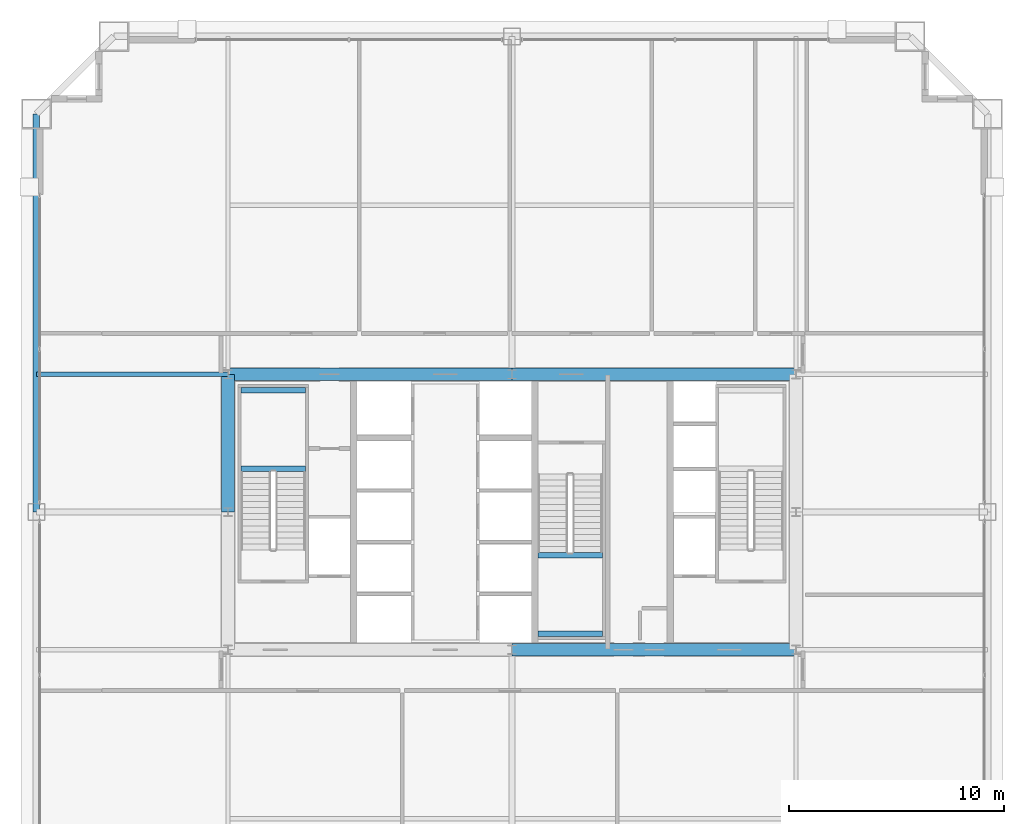
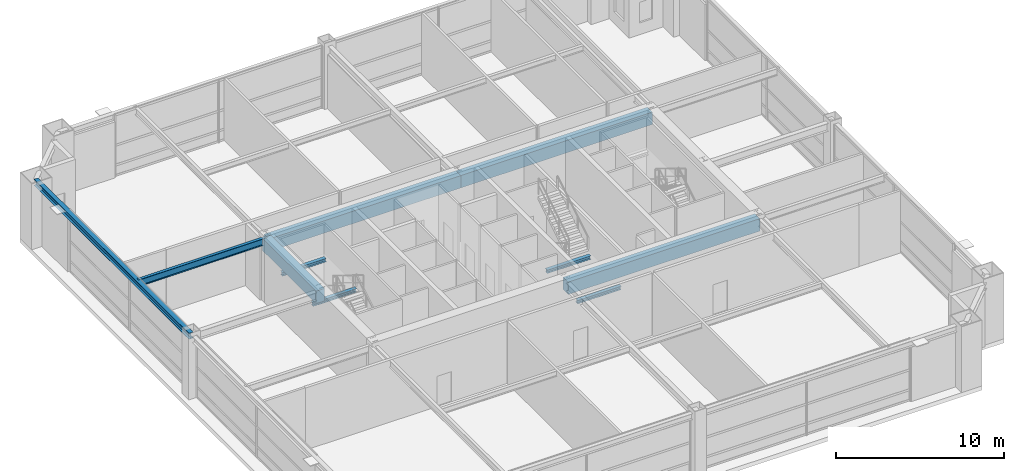
# One storey, part 15 of 34: 10 beams.
"""IFC4 building model written with IfcOpenShell, lengths in metres."""

import ifcopenshell
import ifcopenshell.guid

model = None  # the IFC model being written
_history = None  # IfcOwnerHistory: only IFC2X3 demands one
_inside = {}  # id of a spatial element -> (the spatial element, [elements in it])
_under = {}  # id of a project, library or spatial element -> (it, [spatial elements below it])
_declared = {}  # id of a project -> (the project, [libraries it declares])
_typed = {}  # id of a type object -> (the type object, [elements of that type])
_made_of = {}  # id of a material, layer set ... -> (it, [elements and type objects made of it])


def new_model(schema):
    """Start an empty IFC model of exactly this schema.

    Asked for "IFC4X3", IfcOpenShell would pick the latest addendum, in which some entities
    have other attributes; the version numbers below select the first issue.
    IFC2X3 requires an IfcOwnerHistory on every rooted entity: one is made here for all.
    """
    global model, _history
    if schema == "IFC4X3":
        model = ifcopenshell.file(schema_version=(4, 3, 0, 0))
    else:
        model = ifcopenshell.file(schema=schema)
    _inside.clear()
    _under.clear()
    _declared.clear()
    _typed.clear()
    _made_of.clear()
    _history = None
    if model.schema == "IFC2X3":
        org = make("IfcOrganization", Name="unknown")
        user = make(
            "IfcPersonAndOrganization",
            ThePerson=make("IfcPerson", FamilyName="unknown"),
            TheOrganization=org,
        )
        app = make(
            "IfcApplication",
            ApplicationDeveloper=org,
            Version="unknown",
            ApplicationFullName="unknown",
            ApplicationIdentifier="unknown",
        )
        _history = make(
            "IfcOwnerHistory",
            OwningUser=user,
            OwningApplication=app,
            ChangeAction="ADDED",
            CreationDate=0,
        )
    return model


def make(cls, **values):
    """One entity of the class cls with the attributes given. An attribute that is None is left unset."""
    return model.create_entity(
        cls, **{name: value for name, value in values.items() if value is not None}
    )


def rooted(cls, **values):
    """An entity with a GlobalId (a new one), such as an element, a storey or a relation."""
    return make(cls, GlobalId=ifcopenshell.guid.new(), OwnerHistory=_history, **values)


def si_unit(unit_type, name, prefix=None):
    """IfcSIUnit, for example si_unit("LENGTHUNIT", "METRE", prefix="MILLI")."""
    return make("IfcSIUnit", UnitType=unit_type, Prefix=prefix, Name=name)


def assignment(units):
    """IfcUnitAssignment: the units of a project."""
    return None if units is None else make("IfcUnitAssignment", Units=units)


def point(xyz):
    """IfcCartesianPoint."""
    return None if xyz is None else make("IfcCartesianPoint", Coordinates=xyz)


def direction(xyz):
    """IfcDirection."""
    return None if xyz is None else make("IfcDirection", DirectionRatios=xyz)


def frame(location, z_axis=None, x_axis=None):
    """IfcAxis2Placement3D, a coordinate frame: its origin and axes. An axis left out is left unset."""
    return make(
        "IfcAxis2Placement3D",
        Location=point(location),
        Axis=direction(z_axis),
        RefDirection=direction(x_axis),
    )


def frame_2d(location, x_axis=None):
    """IfcAxis2Placement2D, a coordinate frame in the plane: its origin and x axis."""
    return make(
        "IfcAxis2Placement2D", Location=point(location), RefDirection=direction(x_axis)
    )


def origin():
    """The frame at (0, 0, 0) with its axes left unset."""
    return frame((0.0, 0.0, 0.0))


def origin_2d():
    """The frame at (0, 0) in the plane with its x axis left unset."""
    return frame_2d((0.0, 0.0))


def place(relative_to, where):
    """IfcLocalPlacement: puts the frame where relative to a parent placement (None: the world)."""
    return make(
        "IfcLocalPlacement", PlacementRelTo=relative_to, RelativePlacement=where
    )


def context(
    kind, dimensions, precision=None, world=None, true_north=None, identifier=None
):
    """IfcGeometricRepresentationContext, for example the 3D "Model" context."""
    return make(
        "IfcGeometricRepresentationContext",
        ContextIdentifier=identifier,
        ContextType=kind,
        CoordinateSpaceDimension=dimensions,
        Precision=precision,
        WorldCoordinateSystem=world,
        TrueNorth=true_north,
    )


def subcontext(parent, identifier, kind, view, scale=None):
    """IfcGeometricRepresentationSubContext, for example "Body" below "Model"."""
    return make(
        "IfcGeometricRepresentationSubContext",
        ContextIdentifier=identifier,
        ContextType=kind,
        ParentContext=parent,
        TargetScale=scale,
        TargetView=view,
    )


def project(units=None, contexts=None):
    """IfcProject with its units and contexts."""
    return rooted(
        "IfcProject",
        Name="project",
        RepresentationContexts=contexts,
        UnitsInContext=assignment(units),
    )


def spatial(cls, under=None, at=None, **own):
    """A site, building, storey or space (cls), placed at a placement, below another one or the project."""
    s = rooted(cls, ObjectPlacement=at, **own)
    if under is not None:
        _under.setdefault(under.id(), (under, []))[1].append(s)
    return s


def profile(cls, at=None, kind="AREA", **sizes):
    """A parametric profile (cls). Its sizes go by their IFC names, for example OverallWidth=200.0."""
    return make(cls, ProfileType=kind, Position=at, **sizes)


def rectangle(**sizes):
    """IfcRectangleProfileDef."""
    return profile("IfcRectangleProfileDef", **sizes)


def i_section(**sizes):
    """IfcIShapeProfileDef."""
    return profile("IfcIShapeProfileDef", **sizes)


def extrude(swept, where, along, depth):
    """IfcExtrudedAreaSolid: the profile swept, set in the frame where, extruded along a direction by depth."""
    return make(
        "IfcExtrudedAreaSolid",
        SweptArea=swept,
        Position=where,
        ExtrudedDirection=direction(along),
        Depth=depth,
    )


def shape(context_of_items, identifier, shape_type, items):
    """IfcShapeRepresentation: the items that make up one representation, for example the "Body"."""
    return make(
        "IfcShapeRepresentation",
        ContextOfItems=context_of_items,
        RepresentationIdentifier=identifier,
        RepresentationType=shape_type,
        Items=items,
    )


def source(mapping_origin, context_of_items, identifier, shape_type, items):
    """IfcRepresentationMap: a shape defined once, which mapped items show again and again."""
    return make(
        "IfcRepresentationMap",
        MappingOrigin=mapping_origin,
        MappedRepresentation=shape(context_of_items, identifier, shape_type, items),
    )


def transform(
    local_origin,
    x_axis=None,
    y_axis=None,
    z_axis=None,
    scale=None,
    scale2=None,
    scale3=None,
    uniform=True,
):
    """IfcCartesianTransformationOperator3D, or its non-uniform kind. x_axis, y_axis, z_axis: its Axis1, 2, 3."""
    if uniform:
        return make(
            "IfcCartesianTransformationOperator3D",
            Axis1=direction(x_axis),
            Axis2=direction(y_axis),
            LocalOrigin=point(local_origin),
            Scale=scale,
            Axis3=direction(z_axis),
        )
    return make(
        "IfcCartesianTransformationOperator3DnonUniform",
        Axis1=direction(x_axis),
        Axis2=direction(y_axis),
        LocalOrigin=point(local_origin),
        Scale=scale,
        Axis3=direction(z_axis),
        Scale2=scale2,
        Scale3=scale3,
    )


def mapped(mapping_source, mapping_target):
    """IfcMappedItem: shows the shape of a source again, moved by a transform."""
    return make(
        "IfcMappedItem", MappingSource=mapping_source, MappingTarget=mapping_target
    )


def material(Name=None, Category=None):
    """IfcMaterial."""
    return make("IfcMaterial", Name=Name, Category=Category)


def material_profile(
    of_material, cross_section, Name=None, Category=None, Priority=None
):
    """IfcMaterialProfile: a cross section and its material."""
    return make(
        "IfcMaterialProfile",
        Name=Name,
        Material=of_material,
        Profile=cross_section,
        Priority=Priority,
        Category=Category,
    )


def profile_set(profiles, Name=None, composite=None):
    """IfcMaterialProfileSet."""
    return make(
        "IfcMaterialProfileSet",
        Name=Name,
        MaterialProfiles=profiles,
        CompositeProfile=composite,
    )


def made_of(thing, what):
    """Note that an element or type object is made of a material, layer set ...; save() writes the relation."""
    if what is not None:
        _made_of.setdefault(what.id(), (what, []))[1].append(thing)
    return thing


def type_object(cls, material=None, **own):
    """A type object (cls), such as IfcWallType, which elements share."""
    return made_of(rooted(cls, **own), material)


def element(
    cls,
    number,
    at=None,
    inside=None,
    cuts=None,
    type_object=None,
    material=None,
    context=None,
    identifier="Body",
    shape_type=None,
    held_by="IfcProductDefinitionShape",
    body=None,
    shapes=None,
    **own,
):
    """One element of the class cls, such as IfcWall. Its Tag is "e" and its number.

    at: its placement. inside: the storey or other place that contains it. cuts: it is an
    opening in that element (IfcRelVoidsElement). A single representation is given by context,
    identifier, shape_type and body (its items); several are given by shapes. held_by: the class
    of the entity that holds the representations. save() writes the other relations.
    """
    e = rooted(cls, Tag="e%d" % number, ObjectPlacement=at, **own)
    if body is not None:
        shapes = [shape(context, identifier, shape_type, body)]
    if shapes is not None:
        e.Representation = make(held_by, Representations=shapes)
    if inside is not None:
        _inside.setdefault(inside.id(), (inside, []))[1].append(e)
    if cuts is not None:
        rooted(
            "IfcRelVoidsElement", RelatingBuildingElement=cuts, RelatedOpeningElement=e
        )
    if type_object is not None:
        _typed.setdefault(type_object.id(), (type_object, []))[1].append(e)
    return made_of(e, material)


def aggregate(whole, parts):
    """IfcRelAggregates: a whole, such as a stair, and the parts it consists of."""
    return rooted("IfcRelAggregates", RelatingObject=whole, RelatedObjects=parts)


def save(model, path):
    """Write the relations noted so far, then the file.

    IfcRelAggregates (storeys below a building ...), IfcRelContainedInSpatialStructure (elements
    in a storey), IfcRelDefinesByType, IfcRelAssociatesMaterial and IfcRelDeclares: one each for
    every whole, place, type object, material and project.
    """
    for whole, parts in _under.values():
        aggregate(whole, parts)
    for where, things in _inside.values():
        rooted(
            "IfcRelContainedInSpatialStructure",
            RelatedElements=things,
            RelatingStructure=where,
        )
    for kind, things in _typed.values():
        rooted("IfcRelDefinesByType", RelatedObjects=things, RelatingType=kind)
    for what, things in _made_of.values():
        rooted("IfcRelAssociatesMaterial", RelatedObjects=things, RelatingMaterial=what)
    for by, libraries in _declared.values():
        rooted("IfcRelDeclares", RelatingContext=by, RelatedDefinitions=libraries)
    model.write(path)


model = new_model("IFC4")

# Units and contexts
model_context = context("Model", 3, precision=1e-05, world=origin(), true_north=direction((0.0, 1.0)))
body_context = subcontext(model_context, "Body", "Model", "MODEL_VIEW")
ifc_project = project(units=[si_unit("LENGTHUNIT", "METRE"), si_unit("AREAUNIT", "SQUARE_METRE"), si_unit("VOLUMEUNIT", "CUBIC_METRE"), si_unit("PLANEANGLEUNIT", "RADIAN"), si_unit("MASSUNIT", "GRAM", prefix="KILO"), si_unit("THERMODYNAMICTEMPERATUREUNIT", "KELVIN"), si_unit("POWERUNIT", "WATT")], contexts=[model_context])

# Site, building, storey
site_placement = place(None, origin())
site = spatial("IfcSite", under=ifc_project, at=site_placement, CompositionType="ELEMENT")
building_placement = place(site_placement, origin())
building = spatial("IfcBuilding", under=site, at=building_placement, Name="Yuzanri Waterfront Tower", CompositionType="ELEMENT")
storey_placement = place(building_placement, frame((0.0, 0.0, 171.60009765625)))
storey = spatial("IfcBuildingStorey", under=building, at=storey_placement, Name="L45", CompositionType="ELEMENT", Elevation=171.60009765625)

# Beams
ifc_material_1 = material(Name="Concrete C60", Category="concrete")
ifc_material_profile_1 = material_profile(ifc_material_1, rectangle(XDim=0.60009765625, YDim=0.89990234375, at=origin_2d()), Name="RC 600x900")
ifc_profile_set_1 = profile_set([ifc_material_profile_1], Name="Concrete C60")
beam_type_1 = type_object("IfcBeamType", Name="Core Coupling Lintel Concrete C60 600x900", PredefinedType="LINTEL", material=ifc_profile_set_1)
shared_shape_1 = source(origin(), body_context, "Body", "SweptSolid", [
    extrude(rectangle(XDim=0.60009765625, YDim=0.89990234375, at=origin_2d()), origin(), (0.0, 0.0, 1.0), 13.199951171875),
])
for number, where, z_axis, x_axis, name in (
    (1, (37.0, 19.39990234375, 4.06982421875), (1.0, 0.0, 0.0), (0.0, 1.0, 0.0), "L45 Core Tie Beam CS2"),
    (2, (23.800048828125, 32.199951171875, 4.06982421875), (1.0, 0.0, 0.0), (0.0, 1.0, 0.0), "L45 Core Tie Beam CN1"),
    (3, (37.0, 32.199951171875, 4.06982421875), (1.0, 0.0, 0.0), (0.0, 1.0, 0.0), "L45 Core Tie Beam CN2"),
):
    element("IfcBeam", number, at=place(storey_placement, frame(where, z_axis=z_axis, x_axis=x_axis)), inside=storey, type_object=beam_type_1, Name=name, PredefinedType="LINTEL", context=body_context, shape_type="MappedRepresentation", body=[
        mapped(shared_shape_1, transform((0.0, 0.0, 0.0), scale=1.0)),
    ])
shared_shape_2 = source(origin(), body_context, "Body", "SweptSolid", [
    extrude(rectangle(XDim=0.60009765625, YDim=0.89990234375, at=origin_2d()), origin(), (0.0, 0.0, 1.0), 6.39990234375),
])
beam_1_placement = place(storey_placement, frame((23.800048828125, 25.800048828125, 4.06982421875), z_axis=(0.0, 1.0, 0.0), x_axis=(-1.0, 0.0, 0.0)))
element("IfcBeam", 4, at=beam_1_placement, inside=storey, type_object=beam_type_1, Name="L45 Core Tie Beam CW2", PredefinedType="LINTEL", context=body_context, shape_type="MappedRepresentation", body=[
    mapped(shared_shape_2, transform((0.0, 0.0, 0.0), scale=1.0)),
])
ifc_material_2 = material(Name="Steel Q355B", Category="steel")
ifc_material_profile_2 = material_profile(ifc_material_2, i_section(OverallWidth=0.300048828125, OverallDepth=0.43994140625, WebThickness=0.010986328125, FlangeThickness=0.01806640625, at=origin_2d()), Name="HM 440x300x11x18")
ifc_profile_set_2 = profile_set([ifc_material_profile_2], Name="Steel Q355B")
beam_type_2 = type_object("IfcBeamType", Name="Perimeter Spandrel Q355B HM 440x300", PredefinedType="SPANDREL", material=ifc_profile_set_2)
shared_shape_3 = source(origin(), body_context, "Body", "SweptSolid", [
    extrude(i_section(OverallWidth=0.300048828125, OverallDepth=0.43994140625, WebThickness=0.010986328125, FlangeThickness=0.01806640625, at=origin_2d()), origin(), (0.0, 0.0, 1.0), 18.5),
])
beam_2_placement = place(storey_placement, frame((14.89990234375, 44.300048828125, 4.2998046875), z_axis=(0.0, -1.0, 0.0), x_axis=(1.0, 0.0, 0.0)))
element("IfcBeam", 5, at=beam_2_placement, inside=storey, type_object=beam_type_2, Name="L45 Perimeter Spandrel W3-W2", PredefinedType="SPANDREL", context=body_context, shape_type="MappedRepresentation", body=[
    mapped(shared_shape_3, transform((0.0, 0.0, 0.0), scale=1.0)),
])
ifc_material_3 = material(Name="Steel Q355B", Category="steel")
ifc_material_profile_3 = material_profile(ifc_material_3, i_section(OverallWidth=0.199951171875, OverallDepth=0.5, WebThickness=0.010009765625, FlangeThickness=0.01611328125, at=origin_2d()), Name="HN 500x200x10x16")
ifc_profile_set_3 = profile_set([ifc_material_profile_3], Name="Steel Q355B")
beam_type_3 = type_object("IfcBeamType", Name="Secondary Floor Beam Q355B HN 500x200", PredefinedType="BEAM", material=ifc_profile_set_3)
shared_shape_4 = source(origin(), body_context, "Body", "SweptSolid", [
    extrude(i_section(OverallWidth=0.199951171875, OverallDepth=0.5, WebThickness=0.010009765625, FlangeThickness=0.01611328125, at=origin_2d()), origin(), (0.0, 0.0, 1.0), 8.900146484375),
])
beam_3_placement = place(storey_placement, frame((23.800048828125, 32.199951171875, 4.27001953125), z_axis=(-1.0, 0.0, 0.0), x_axis=(0.0, -1.0, 0.0)))
element("IfcBeam", 6, at=beam_3_placement, inside=storey, type_object=beam_type_3, Name="L45 West-North Core Line Beam", PredefinedType="BEAM", context=body_context, shape_type="MappedRepresentation", body=[
    mapped(shared_shape_4, transform((0.0, 0.0, 0.0), scale=1.0)),
])
ifc_material_4 = material(Name="Steel Q355B", Category="steel")
ifc_material_profile_4 = material_profile(ifc_material_4, i_section(OverallWidth=0.25, OverallDepth=0.25, WebThickness=0.009033203125, FlangeThickness=0.013916015625, at=origin_2d()), Name="HW 250x250x9x14")
ifc_profile_set_4 = profile_set([ifc_material_profile_4], Name="Steel Q355B")
beam_type_4 = type_object("IfcBeamType", Name="Stair Landing Support Beam Q355B HW 250x250", PredefinedType="BEAM", material=ifc_profile_set_4)
shared_shape_5 = source(origin(), body_context, "Body", "SweptSolid", [
    extrude(i_section(OverallWidth=0.25, OverallDepth=0.25, WebThickness=0.009033203125, FlangeThickness=0.013916015625, at=origin_2d()), origin(), (0.0, 0.0, 1.0), 3.0),
])
for number, where, z_axis, x_axis, name in (
    (7, (24.39990234375, 27.81005859375, 2.074951171875), (1.0, 0.0, 0.0), (0.0, 1.0, 0.0), "L45 Stair Landing Support Beam ST-01-L45-L1-1"),
    (8, (24.39990234375, 31.449951171875, 2.074951171875), (1.0, 0.0, 0.0), (0.0, 1.0, 0.0), "L45 Stair Landing Support Beam ST-01-L45-L1-2"),
    (9, (38.199951171875, 20.14990234375, 2.074951171875), (1.0, 0.0, 0.0), (0.0, 1.0, 0.0), "L45 Stair Landing Support Beam ST-03-L45-L1-1"),
    (10, (38.199951171875, 23.7900390625, 2.074951171875), (1.0, 0.0, 0.0), (0.0, 1.0, 0.0), "L45 Stair Landing Support Beam ST-03-L45-L1-2"),
):
    element("IfcBeam", number, at=place(storey_placement, frame(where, z_axis=z_axis, x_axis=x_axis)), inside=storey, type_object=beam_type_4, Name=name, PredefinedType="BEAM", context=body_context, shape_type="MappedRepresentation", body=[
        mapped(shared_shape_5, transform((0.0, 0.0, 0.0), scale=1.0)),
    ])

save(model, "model.ifc")
